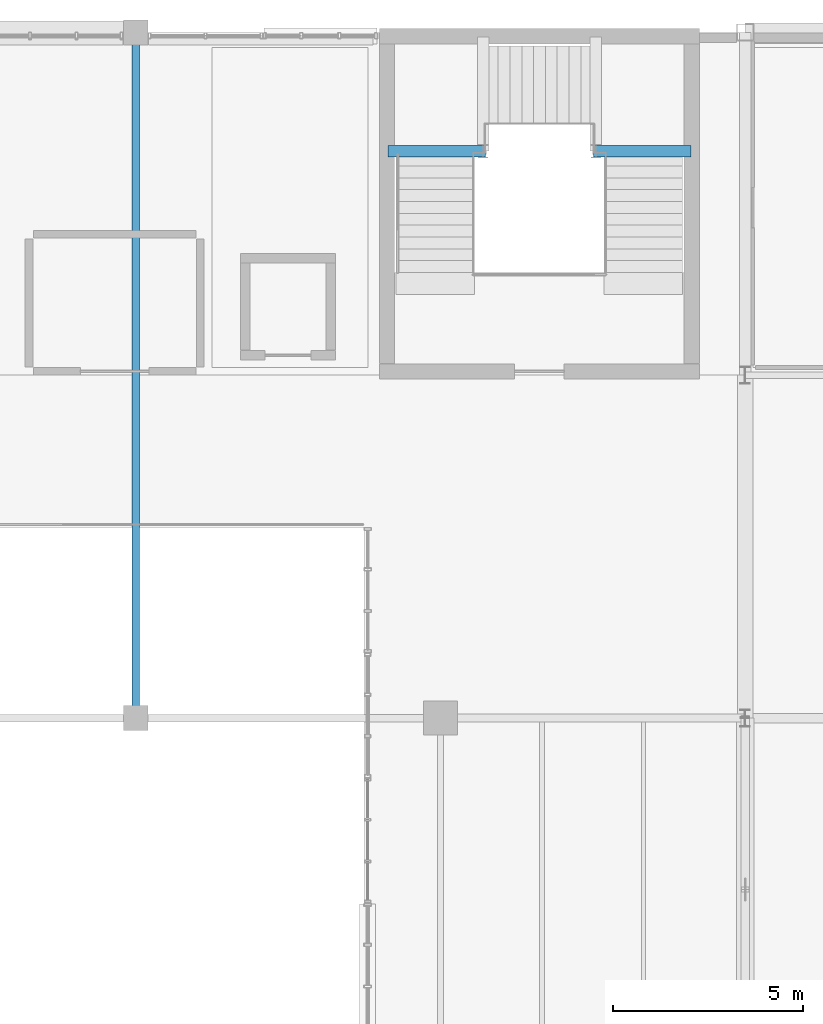
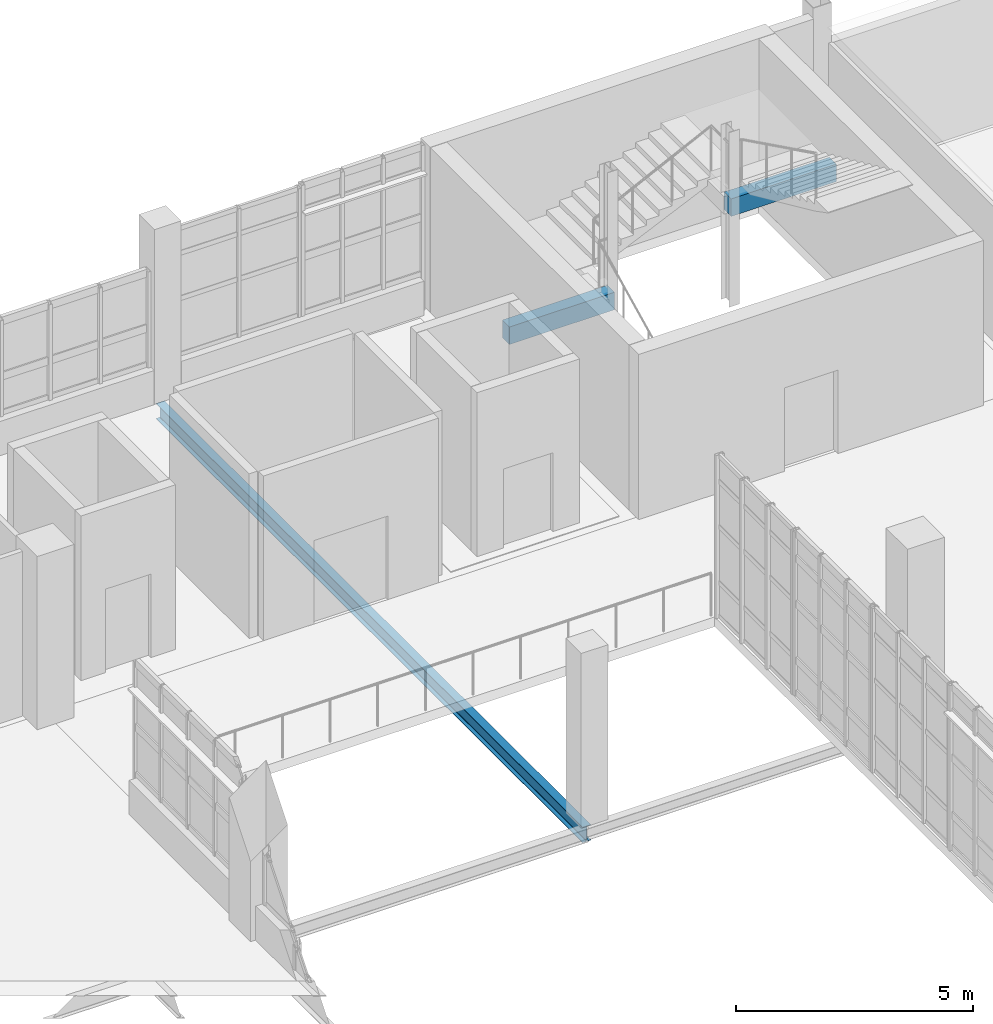
# One storey, part 41 of 85: 3 beams.
"""IFC4 building model written with IfcOpenShell, lengths in metres."""

from ifc_helpers import new_model, si_unit, derived_unit, direction, frame, origin, origin_2d, place, context, subcontext, project, spatial, rectangle, i_section, extrude, material, material_profile, profile_set, type_object, element, save


model = new_model("IFC4")

# Units and contexts
model_context = context("Model", 3, precision=1e-05, world=origin(), true_north=direction((0.0, 1.0)))
body_context = subcontext(model_context, "Body", "Model", "MODEL_VIEW")
ifc_project = project(units=[si_unit("LENGTHUNIT", "METRE"), si_unit("AREAUNIT", "SQUARE_METRE"), si_unit("VOLUMEUNIT", "CUBIC_METRE"), si_unit("PLANEANGLEUNIT", "RADIAN"), si_unit("MASSUNIT", "GRAM", prefix="KILO"), derived_unit("THERMALTRANSMITTANCEUNIT", [(si_unit("POWERUNIT", "WATT"), 1), (si_unit("LENGTHUNIT", "METRE"), -2), (si_unit("THERMODYNAMICTEMPERATUREUNIT", "KELVIN"), -1)])], contexts=[model_context])

# Site, building, storey
site_placement = place(None, origin())
site = spatial("IfcSite", under=ifc_project, at=site_placement, CompositionType="ELEMENT")
building_placement = place(site_placement, origin())
building = spatial("IfcBuilding", under=site, at=building_placement, Name="Nallur Shell Playhouse", CompositionType="ELEMENT")
storey_placement = place(building_placement, frame((0.0, 0.0, 19.800048828125)))
storey = spatial("IfcBuildingStorey", under=building, at=storey_placement, Name="L05", CompositionType="ELEMENT", Elevation=19.800048828125)

# Beams
ifc_material_1 = material(Name="Concrete M35", Category="concrete")
ifc_material_profile_1 = material_profile(ifc_material_1, rectangle(XDim=0.300048828125, YDim=0.449951171875, at=origin_2d()), Name="RC 300x450")
ifc_profile_set_1 = profile_set([ifc_material_profile_1], Name="Concrete M35")
beam_type_1 = type_object("IfcBeamType", Name="BM-SPN-300x450", PredefinedType="SPANDREL", material=ifc_profile_set_1)
beam_1_placement = place(storey_placement, frame((54.6201171875, 79.8798828125, 1.121826171875), z_axis=(1.0, 0.0, 0.0), x_axis=(0.0, 1.0, 0.0)))
element("IfcBeam", 1, at=beam_1_placement, inside=storey, type_object=beam_type_1, Name="Stair ST-03-L05 L1 south bearer beam", PredefinedType="SPANDREL", context=body_context, shape_type="SweptSolid", body=[
    extrude(rectangle(XDim=0.300048828125, YDim=0.449951171875, at=origin_2d()), origin(), (0.0, 0.0, 1.0), 2.559814453125),
])
beam_2_placement = place(storey_placement, frame((60.02001953125, 79.8798828125, 2.528076171875), z_axis=(1.0, 0.0, 0.0), x_axis=(0.0, 1.0, 0.0)))
element("IfcBeam", 2, at=beam_2_placement, inside=storey, type_object=beam_type_1, Name="Stair ST-03-L05 L2 south bearer beam", PredefinedType="SPANDREL", context=body_context, shape_type="SweptSolid", body=[
    extrude(rectangle(XDim=0.300048828125, YDim=0.449951171875, at=origin_2d()), origin(), (0.0, 0.0, 1.0), 2.56005859375),
])
ifc_material_2 = material(Name="Steel E350", Category="steel")
ifc_material_profile_2 = material_profile(ifc_material_2, i_section(OverallWidth=0.199951171875, OverallDepth=0.39990234375, WebThickness=0.008544921875, FlangeThickness=0.012939453125, FilletRadius=0.012939453125, at=origin_2d()), Name="ISWB 400")
ifc_profile_set_2 = profile_set([ifc_material_profile_2], Name="Steel E350")
beam_type_2 = type_object("IfcBeamType", Name="BM-ST-ISWB400", PredefinedType="BEAM", material=ifc_profile_set_2)
beam_3_placement = place(storey_placement, frame((48.0, 65.0, -0.449951171875), z_axis=(0.0, 1.0, 0.0), x_axis=(-1.0, 0.0, 0.0)))
element("IfcBeam", 3, at=beam_3_placement, inside=storey, type_object=beam_type_2, Name="L05 girder Y-6-1013", PredefinedType="BEAM", context=body_context, shape_type="SweptSolid", body=[
    extrude(i_section(OverallWidth=0.199951171875, OverallDepth=0.39990234375, WebThickness=0.008544921875, FlangeThickness=0.012939453125, FilletRadius=0.012939453125, at=origin_2d()), origin(), (0.0, 0.0, 1.0), 18.0),
])

save(model, "model.ifc")
